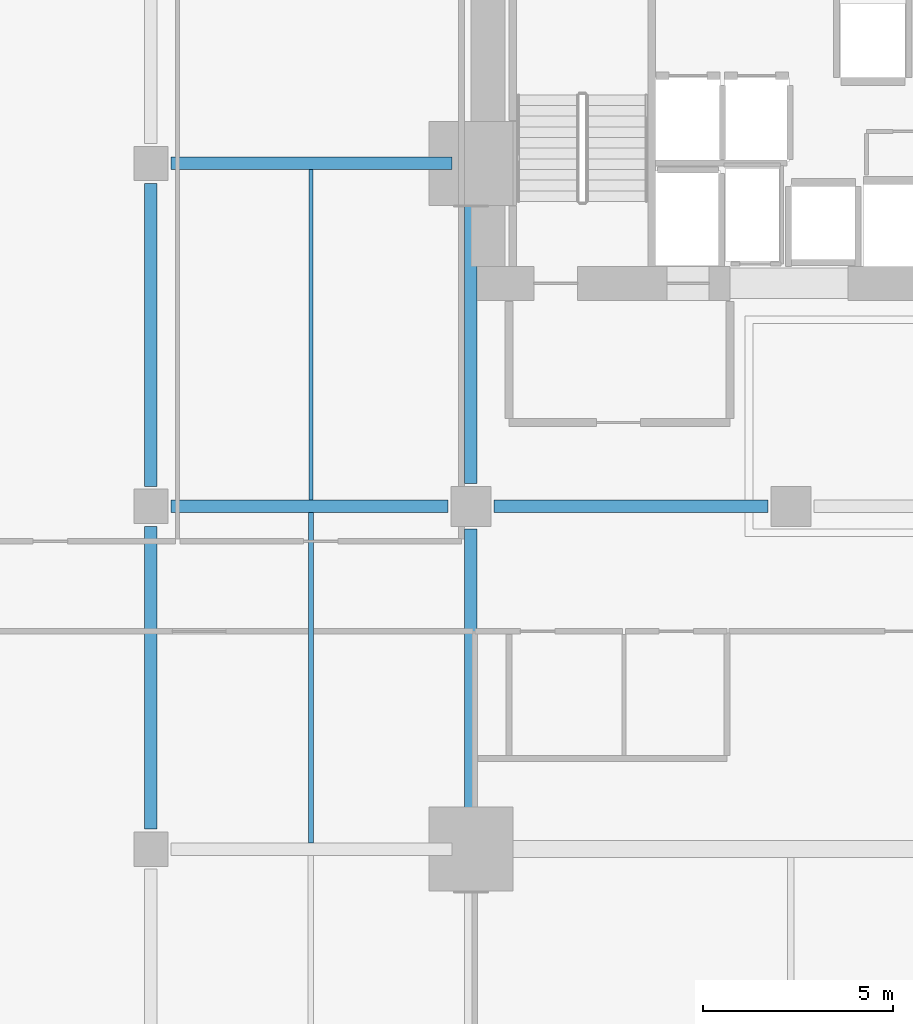
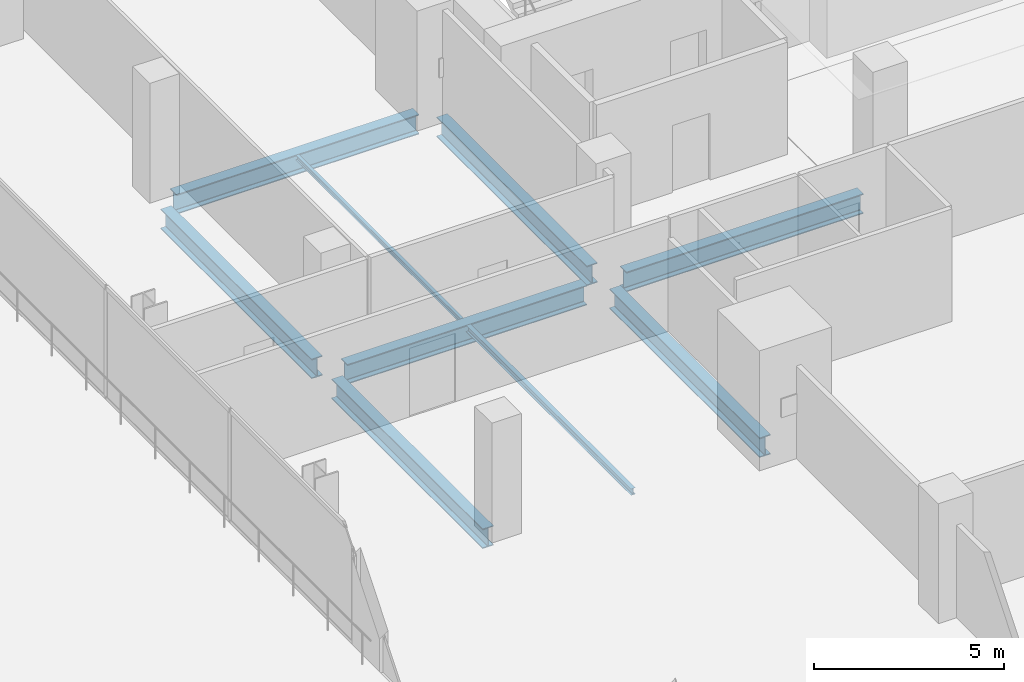
# One storey, part 13 of 31: 9 beams.
"""IFC4 building model written with IfcOpenShell, lengths in metres."""

from ifc_helpers import new_model, si_unit, direction, frame, origin, origin_2d, place, context, subcontext, project, spatial, i_section, extrude, material, material_profile, profile_set, type_object, element, save


model = new_model("IFC4")

# Units and contexts
model_context = context("Model", 3, precision=1e-05, world=origin(), true_north=direction((0.0, 1.0)))
body_context = subcontext(model_context, "Body", "Model", "MODEL_VIEW")
ifc_project = project(units=[si_unit("LENGTHUNIT", "METRE"), si_unit("AREAUNIT", "SQUARE_METRE"), si_unit("VOLUMEUNIT", "CUBIC_METRE"), si_unit("PLANEANGLEUNIT", "RADIAN"), si_unit("MASSUNIT", "GRAM", prefix="KILO")], contexts=[model_context])

# Site, building, storey
site_placement = place(None, origin())
site = spatial("IfcSite", under=ifc_project, at=site_placement, CompositionType="ELEMENT")
building_placement = place(site_placement, origin())
building = spatial("IfcBuilding", under=site, at=building_placement, Name="Maruvema Waterfront Hotel and Observation Tower", CompositionType="ELEMENT")
storey_placement = place(building_placement, frame((0.0, 0.0, 26.949951171875)))
storey = spatial("IfcBuildingStorey", under=building, at=storey_placement, Name="L05", CompositionType="ELEMENT", Elevation=26.949951171875)

# Beams
ifc_material_1 = material(Name="Steel ASTM A572 Grade 50", Category="steel")
ifc_material_profile_1 = material_profile(ifc_material_1, i_section(OverallWidth=0.3291015625, OverallDepth=0.635009765625, WebThickness=0.017822265625, FlangeThickness=0.031005859375, FilletRadius=0.01806640625, at=origin_2d()), Name="W610x241.0")
ifc_profile_set_1 = profile_set([ifc_material_profile_1], Name="Steel ASTM A572 Grade 50")
beam_type_1 = type_object("IfcBeamType", Name="Primary Floor Girder W610x241.0", PredefinedType="BEAM", material=ifc_profile_set_1)
beam_1_placement = place(storey_placement, frame((17.324951171875, 36.0, -0.557373046875), z_axis=(1.0, 0.0, 0.0), x_axis=(0.0, 1.0, 0.0)))
element("IfcBeam", 1, at=beam_1_placement, inside=storey, type_object=beam_type_1, Name="L05 Floor Girder EW-15", PredefinedType="BEAM", context=body_context, shape_type="SweptSolid", body=[
    extrude(i_section(OverallWidth=0.3291015625, OverallDepth=0.635009765625, WebThickness=0.017822265625, FlangeThickness=0.031005859375, FilletRadius=0.01806640625, at=origin_2d()), origin(), (0.0, 0.0, 1.0), 7.275146484375),
])
beam_2_placement = place(storey_placement, frame((25.800048828125, 36.0, -0.557373046875), z_axis=(1.0, 0.0, 0.0), x_axis=(0.0, 1.0, 0.0)))
element("IfcBeam", 2, at=beam_2_placement, inside=storey, type_object=beam_type_1, Name="L05 Floor Girder EW-16", PredefinedType="BEAM", context=body_context, shape_type="SweptSolid", body=[
    extrude(i_section(OverallWidth=0.3291015625, OverallDepth=0.635009765625, WebThickness=0.017822265625, FlangeThickness=0.031005859375, FilletRadius=0.01806640625, at=origin_2d()), origin(), (0.0, 0.0, 1.0), 7.199951171875),
])
beam_3_placement = place(storey_placement, frame((17.324951171875, 45.0, -0.557373046875), z_axis=(1.0, 0.0, 0.0), x_axis=(0.0, 1.0, 0.0)))
element("IfcBeam", 3, at=beam_3_placement, inside=storey, type_object=beam_type_1, Name="L05 Floor Girder EW-20", PredefinedType="BEAM", context=body_context, shape_type="SweptSolid", body=[
    extrude(i_section(OverallWidth=0.3291015625, OverallDepth=0.635009765625, WebThickness=0.017822265625, FlangeThickness=0.031005859375, FilletRadius=0.01806640625, at=origin_2d()), origin(), (0.0, 0.0, 1.0), 7.375),
])
for number, where, z_axis, x_axis, name in (
    (4, (16.800048828125, 27.52490234375, -0.557373046875), (0.0, 1.0, 0.0), (-1.0, 0.0, 0.0), "L05 Floor Girder NS-04"),
    (5, (16.800048828125, 36.52490234375, -0.557373046875), (0.0, 1.0, 0.0), (-1.0, 0.0, 0.0), "L05 Floor Girder NS-05"),
):
    element("IfcBeam", number, at=place(storey_placement, frame(where, z_axis=z_axis, x_axis=x_axis)), inside=storey, type_object=beam_type_1, Name=name, PredefinedType="BEAM", context=body_context, shape_type="SweptSolid", body=[
        extrude(i_section(OverallWidth=0.3291015625, OverallDepth=0.635009765625, WebThickness=0.017822265625, FlangeThickness=0.031005859375, FilletRadius=0.01806640625, at=origin_2d()), origin(), (0.0, 0.0, 1.0), 7.9501953125),
    ])
for number, where, z_axis, x_axis, name in (
    (6, (25.199951171875, 27.5, -0.557373046875), (0.0, 1.0, 0.0), (-1.0, 0.0, 0.0), "L05 Floor Girder NS-10"),
    (7, (25.199951171875, 36.60009765625, -0.557373046875), (0.0, 1.0, 0.0), (-1.0, 0.0, 0.0), "L05 Floor Girder NS-11"),
):
    element("IfcBeam", number, at=place(storey_placement, frame(where, z_axis=z_axis, x_axis=x_axis)), inside=storey, type_object=beam_type_1, Name=name, PredefinedType="BEAM", context=body_context, shape_type="SweptSolid", body=[
        extrude(i_section(OverallWidth=0.3291015625, OverallDepth=0.635009765625, WebThickness=0.017822265625, FlangeThickness=0.031005859375, FilletRadius=0.01806640625, at=origin_2d()), origin(), (0.0, 0.0, 1.0), 7.89990234375),
    ])
ifc_material_2 = material(Name="Steel ASTM A572 Grade 50", Category="steel")
ifc_material_profile_2 = material_profile(ifc_material_2, i_section(OverallWidth=0.10009765625, OverallDepth=0.153076171875, WebThickness=0.005859375, FlangeThickness=0.007080078125, FilletRadius=0.008056640625, at=origin_2d()), Name="W150x18.0")
ifc_profile_set_2 = profile_set([ifc_material_profile_2], Name="Steel ASTM A572 Grade 50")
beam_type_2 = type_object("IfcBeamType", Name="Secondary Floor Joist W150x18.0", PredefinedType="JOIST", material=ifc_profile_set_2)
beam_4_placement = place(storey_placement, frame((21.0, 36.16455078125, -0.31640625), z_axis=(0.0, 1.0, 0.0), x_axis=(-1.0, 0.0, 0.0)))
element("IfcBeam", 8, at=beam_4_placement, inside=storey, type_object=beam_type_2, Name="L05 Secondary Floor Joist JS-04", PredefinedType="JOIST", context=body_context, shape_type="SweptSolid", body=[
    extrude(i_section(OverallWidth=0.10009765625, OverallDepth=0.153076171875, WebThickness=0.005859375, FlangeThickness=0.007080078125, FilletRadius=0.008056640625, at=origin_2d()), origin(), (0.0, 0.0, 1.0), 8.6708984375),
])
ifc_material_3 = material(Name="Steel ASTM A572 Grade 50", Category="steel")
ifc_material_profile_3 = material_profile(ifc_material_3, i_section(OverallWidth=0.133056640625, OverallDepth=0.20703125, WebThickness=0.005859375, FlangeThickness=0.00830078125, FilletRadius=0.010009765625, at=origin_2d()), Name="W200x26.6")
ifc_profile_set_3 = profile_set([ifc_material_profile_3], Name="Steel ASTM A572 Grade 50")
beam_type_3 = type_object("IfcBeamType", Name="Secondary Floor Joist W200x26.6", PredefinedType="JOIST", material=ifc_profile_set_3)
beam_5_placement = place(storey_placement, frame((21.0, 27.16455078125, -0.343505859375), z_axis=(0.0, 1.0, 0.0), x_axis=(-1.0, 0.0, 0.0)))
element("IfcBeam", 9, at=beam_5_placement, inside=storey, type_object=beam_type_3, Name="L05 Secondary Floor Joist JS-03", PredefinedType="JOIST", context=body_context, shape_type="SweptSolid", body=[
    extrude(i_section(OverallWidth=0.133056640625, OverallDepth=0.20703125, WebThickness=0.005859375, FlangeThickness=0.00830078125, FilletRadius=0.010009765625, at=origin_2d()), origin(), (0.0, 0.0, 1.0), 8.6708984375),
])

save(model, "model.ifc")
